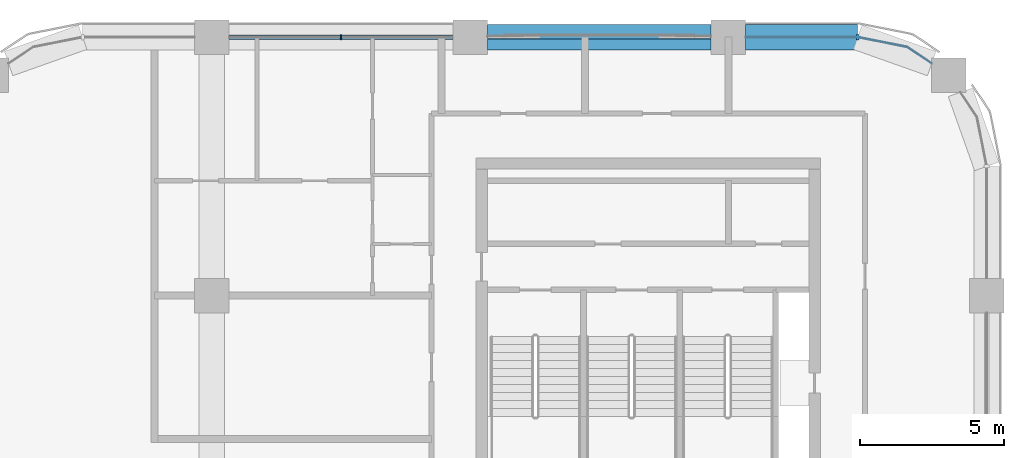
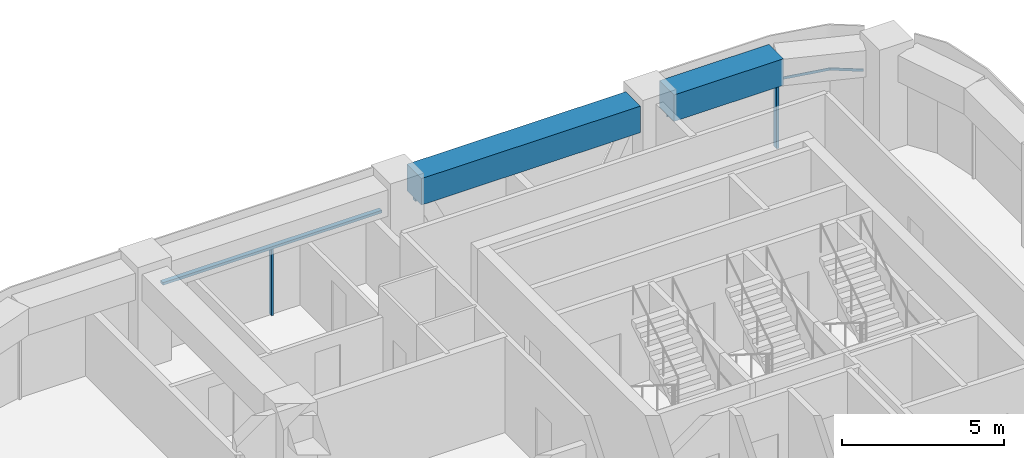
# One storey, part 4 of 10: 5 members, 2 beams, 3 elements without a shape of their own.
"""IFC4 building model written with IfcOpenShell, lengths in metres."""

from ifc_helpers import new_model, si_unit, direction, frame, origin, origin_2d, place, context, subcontext, project, spatial, polyline, rectangle, outline, extrude, material, material_profile, profile_set, type_object, element, aggregate, save


model = new_model("IFC4")

# Units and contexts
model_context = context("Model", 3, precision=1e-05, world=origin(), true_north=direction((0.0, 1.0)))
body_context = subcontext(model_context, "Body", "Model", "MODEL_VIEW")
ifc_project = project(units=[si_unit("LENGTHUNIT", "METRE"), si_unit("AREAUNIT", "SQUARE_METRE"), si_unit("VOLUMEUNIT", "CUBIC_METRE"), si_unit("PLANEANGLEUNIT", "RADIAN"), si_unit("MASSUNIT", "GRAM", prefix="KILO")], contexts=[model_context])

# Site, building, storey
site_placement = place(None, origin())
site = spatial("IfcSite", under=ifc_project, at=site_placement, CompositionType="ELEMENT")
building_placement = place(site_placement, origin())
building = spatial("IfcBuilding", under=site, at=building_placement, Name="Tessera Arch", CompositionType="ELEMENT")
storey_placement = place(building_placement, frame((0.0, 0.0, 261.800048828125)))
storey = spatial("IfcBuildingStorey", under=building, at=storey_placement, Name="L63", CompositionType="ELEMENT", Elevation=261.800048828125)

# Curtain wall, members
ifc_material_1 = material(Name="CW1 curtain wall")
curtain_wall_type_1 = type_object("IfcCurtainWallType", Name="CW1 curtain wall", PredefinedType="NOTDEFINED", material=ifc_material_1)
curtain_wall_1_placement = place(storey_placement, origin())
curtain_wall_1 = element("IfcCurtainWall", 1, at=curtain_wall_1_placement, inside=storey, type_object=curtain_wall_type_1, Name="CW1 curtain wall N54.18/2 L63", PredefinedType="NOTDEFINED")
ifc_material_2 = material(Name="Anodised aluminium pale metal", Category="aluminium")
ifc_material_profile_1 = material_profile(ifc_material_2, rectangle(XDim=0.159912109375, YDim=0.06005859375, at=origin_2d()), Name="AL 60x160")
ifc_profile_set_1 = profile_set([ifc_material_profile_1], Name="Anodised aluminium pale metal")
member_type_1 = type_object("IfcMemberType", Name="CW1 mullion", PredefinedType="MULLION", material=ifc_profile_set_1)
member_1_placement = place(storey_placement, frame((31.5, 54.0, 0.0), z_axis=(0.0, 0.0, 1.0), x_axis=(0.0, -1.0, 0.0)))
member_1 = element("IfcMember", 2, at=member_1_placement, type_object=member_type_1, Name="CW1 mullion N54.18/2 1", PredefinedType="MULLION", context=body_context, shape_type="SweptSolid", body=[
    extrude(rectangle(XDim=0.159912109375, YDim=0.06005859375, at=origin_2d()), origin(), (0.0, 0.0, 1.0), 2.5),
])
ifc_material_3 = material(Name="Anodised aluminium pale metal", Category="aluminium")
ifc_material_profile_2 = material_profile(ifc_material_3, rectangle(XDim=0.159912109375, YDim=0.10009765625, at=origin_2d()), Name="AL 160x100")
ifc_profile_set_2 = profile_set([ifc_material_profile_2], Name="Anodised aluminium pale metal")
member_type_2 = type_object("IfcMemberType", Name="CW1 transom", PredefinedType="USERDEFINED", material=ifc_profile_set_2)
member_2_placement = place(storey_placement, frame((35.39990234375, 54.0, 2.550048828125), z_axis=(-1.0, 0.0, 0.0), x_axis=(0.0, -1.0, 0.0)))
member_2 = element("IfcMember", 3, at=member_2_placement, type_object=member_type_2, Name="CW1 transom N54.18/2 1.1", ObjectType="TRANSOM", PredefinedType="USERDEFINED", context=body_context, shape_type="SweptSolid", body=[
    extrude(rectangle(XDim=0.159912109375, YDim=0.10009765625, at=origin_2d()), origin(), (0.0, 0.0, 1.0), 7.7998046875),
])
aggregate(curtain_wall_1, [member_1, member_2])

ifc_material_4 = material(Name="CW2 curtain wall")
curtain_wall_type_2 = type_object("IfcCurtainWallType", Name="CW2 curtain wall", PredefinedType="NOTDEFINED", material=ifc_material_4)
curtain_wall_2_placement = place(storey_placement, origin())
curtain_wall_2 = element("IfcCurtainWall", 4, at=curtain_wall_2_placement, inside=storey, type_object=curtain_wall_type_2, Name="CW2 curtain wall N54.18/0 L63", PredefinedType="NOTDEFINED")
ifc_material_5 = material(Name="Anodised aluminium pale metal", Category="aluminium")
ifc_material_profile_3 = material_profile(ifc_material_5, rectangle(XDim=0.199951171875, YDim=0.080078125, at=origin_2d()), Name="AL 80x200")
ifc_profile_set_3 = profile_set([ifc_material_profile_3], Name="Anodised aluminium pale metal")
member_type_3 = type_object("IfcMemberType", Name="CW2 mullion", PredefinedType="MULLION", material=ifc_profile_set_3)
member_3_placement = place(storey_placement, frame((49.5, 54.0, 0.0), z_axis=(0.0, 0.0, 1.0), x_axis=(0.0, -1.0, 0.0)))
member_3 = element("IfcMember", 5, at=member_3_placement, type_object=member_type_3, Name="CW2 mullion N54.18/0 1", PredefinedType="MULLION", context=body_context, shape_type="SweptSolid", body=[
    extrude(rectangle(XDim=0.199951171875, YDim=0.080078125, at=origin_2d()), origin(), (0.0, 0.0, 1.0), 2.5),
])
ifc_material_6 = material(Name="Anodised aluminium pale metal", Category="aluminium")
ifc_material_profile_4 = material_profile(ifc_material_6, rectangle(XDim=0.199951171875, YDim=0.10009765625, at=origin_2d()), Name="AL 200x100")
ifc_profile_set_4 = profile_set([ifc_material_profile_4], Name="Anodised aluminium pale metal")
member_type_4 = type_object("IfcMemberType", Name="CW2 transom", PredefinedType="USERDEFINED", material=ifc_profile_set_4)
member_4_placement = place(storey_placement, frame((0.0, 0.0, 2.5)))
member_4 = element("IfcMember", 6, at=member_4_placement, type_object=member_type_4, Name="CW2 transom N54.18/0 1", ObjectType="TRANSOM", PredefinedType="USERDEFINED", context=body_context, shape_type="SweptSolid", body=[
    extrude(outline(polyline([(51.21826171875, 53.648193359375), (52.076416015625, 53.07470703125), (52.087646484375, 53.09130859375), (51.22607421875, 53.6669921875), (49.5009765625, 54.010009765625), (45.60009765625, 54.010009765625), (45.60009765625, 53.989990234375), (49.4990234375, 53.989990234375), (51.21826171875, 53.648193359375)])), origin(), (0.0, 0.0, 1.0), 0.099853515625),
])
aggregate(curtain_wall_2, [member_3, member_4])

# Curtain wall, member
ifc_material_7 = material(Name="CW3 curtain wall")
curtain_wall_type_3 = type_object("IfcCurtainWallType", Name="CW3 curtain wall", PredefinedType="NOTDEFINED", material=ifc_material_7)
curtain_wall_3_placement = place(storey_placement, origin())
curtain_wall_3 = element("IfcCurtainWall", 7, at=curtain_wall_3_placement, inside=storey, type_object=curtain_wall_type_3, Name="CW3 curtain wall N54.18/1 L63", PredefinedType="NOTDEFINED")
ifc_material_8 = material(Name="Anodised aluminium pale metal", Category="aluminium")
ifc_material_profile_5 = material_profile(ifc_material_8, rectangle(XDim=0.139892578125, YDim=0.10009765625, at=origin_2d()), Name="AL 140x100")
ifc_profile_set_5 = profile_set([ifc_material_profile_5], Name="Anodised aluminium pale metal")
member_type_5 = type_object("IfcMemberType", Name="CW3 transom", PredefinedType="USERDEFINED", material=ifc_profile_set_5)
member_5_placement = place(storey_placement, frame((44.39990234375, 54.0, 2.550048828125), z_axis=(-1.0, 0.0, 0.0), x_axis=(0.0, -1.0, 0.0)))
member_5 = element("IfcMember", 8, at=member_5_placement, type_object=member_type_5, Name="CW3 transom N54.18/1 1.1", ObjectType="TRANSOM", PredefinedType="USERDEFINED", context=body_context, shape_type="SweptSolid", body=[
    extrude(rectangle(XDim=0.139892578125, YDim=0.10009765625, at=origin_2d()), origin(), (0.0, 0.0, 1.0), 7.7998046875),
])
aggregate(curtain_wall_3, [member_5])

# Beams
ifc_material_9 = material(Name="Concrete C60/75", Category="concrete")
ifc_material_profile_6 = material_profile(ifc_material_9, rectangle(XDim=0.89990234375, YDim=1.0, at=origin_2d()), Name="RC spandrel beam 900 x 1000 Concrete C60/75")
ifc_profile_set_6 = profile_set([ifc_material_profile_6], Name="Concrete C60/75")
beam_type = type_object("IfcBeamType", Name="RC spandrel beam 900 x 1000 Concrete C60/75", PredefinedType="BEAM", material=ifc_profile_set_6)
beam_1_placement = place(storey_placement, frame((49.5, 54.0, 3.099853515625), z_axis=(-1.0, 0.0, 0.0), x_axis=(0.0, -1.0, 0.0)))
element("IfcBeam", 9, at=beam_1_placement, inside=storey, type_object=beam_type, Name="Spandrel beam L63 N54.18/0.2", PredefinedType="BEAM", context=body_context, shape_type="SweptSolid", body=[
    extrude(rectangle(XDim=0.89990234375, YDim=1.0, at=origin_2d()), origin(), (0.0, 0.0, 1.0), 3.89990234375),
])
beam_2_placement = place(storey_placement, frame((44.39990234375, 54.0, 3.099853515625), z_axis=(-1.0, 0.0, 0.0), x_axis=(0.0, -1.0, 0.0)))
element("IfcBeam", 10, at=beam_2_placement, inside=storey, type_object=beam_type, Name="Spandrel beam L63 N54.18/1", PredefinedType="BEAM", context=body_context, shape_type="SweptSolid", body=[
    extrude(rectangle(XDim=0.89990234375, YDim=1.0, at=origin_2d()), origin(), (0.0, 0.0, 1.0), 7.7998046875),
])

save(model, "model.ifc")
